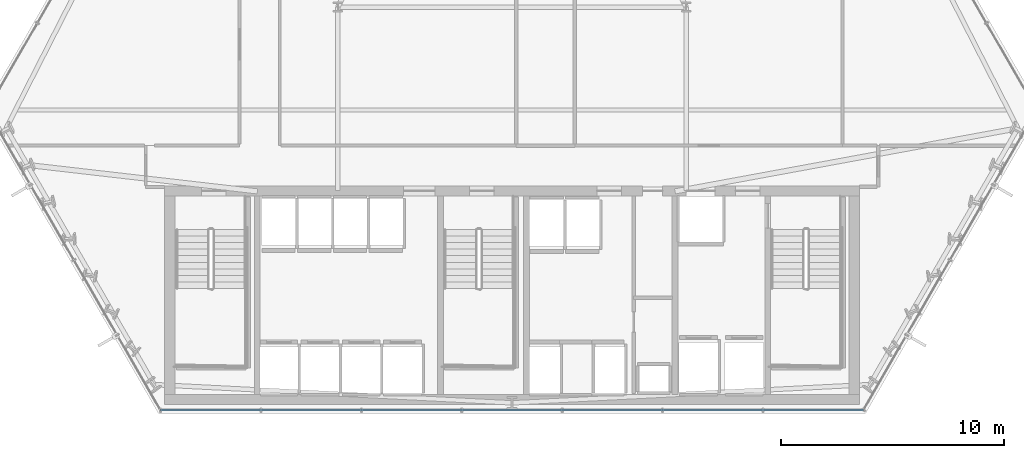
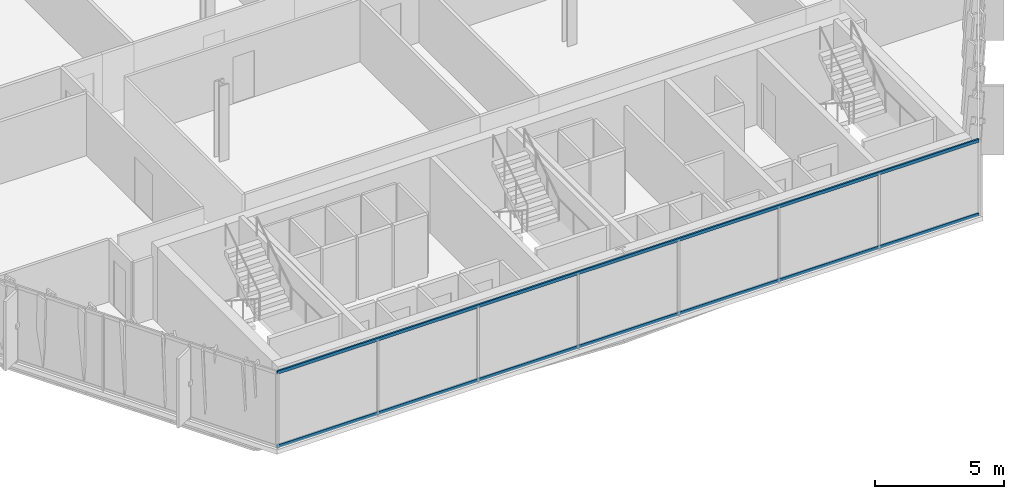
# One storey, part 8 of 32: 2 members, 1 element without a shape of its own.
"""IFC4 building model written with IfcOpenShell, lengths in metres."""

from ifc_helpers import new_model, si_unit, direction, frame, origin, origin_2d, place, context, subcontext, project, spatial, hollow_rectangle, extrude, material, layer, layer_set, material_profile, profile_set, type_object, element, aggregate, save


model = new_model("IFC4")

# Units and contexts
model_context = context("Model", 3, precision=1e-05, world=origin(), true_north=direction((0.0, 1.0)))
body_context = subcontext(model_context, "Body", "Model", "MODEL_VIEW")
ifc_project = project(units=[si_unit("LENGTHUNIT", "METRE"), si_unit("AREAUNIT", "SQUARE_METRE"), si_unit("VOLUMEUNIT", "CUBIC_METRE"), si_unit("PLANEANGLEUNIT", "RADIAN"), si_unit("MASSUNIT", "GRAM", prefix="KILO")], contexts=[model_context])

# Site, building, storey
site_placement = place(None, origin())
site = spatial("IfcSite", under=ifc_project, at=site_placement, CompositionType="ELEMENT")
building_placement = place(site_placement, origin())
building = spatial("IfcBuilding", under=site, at=building_placement, Name="Ndaravel Arena Tower", CompositionType="ELEMENT")
storey_placement = place(building_placement, frame((0.0, 0.0, 66.39990234375)))
storey = spatial("IfcBuildingStorey", under=building, at=storey_placement, Name="L14", CompositionType="ELEMENT", Elevation=66.39990234375)

# Curtain wall, members
ifc_material_1 = material(Name="Aluminium", Category="aluminium")
ifc_layer = layer(ifc_material_1, 0.179931640625)
ifc_layer_set = layer_set([ifc_layer], Name="Aluminium")
curtain_wall_type = type_object("IfcCurtainWallType", Name="CW-SYS-03", PredefinedType="NOTDEFINED", material=ifc_layer_set)
curtain_wall_placement = place(storey_placement, origin())
curtain_wall = element("IfcCurtainWall", 1, at=curtain_wall_placement, inside=storey, type_object=curtain_wall_type, Name="L14 Faceted Crystal Curtain Wall CW-L14-E01", PredefinedType="NOTDEFINED")
ifc_material_2 = material(Name="Aluminium", Category="aluminium")
ifc_material_profile = material_profile(ifc_material_2, hollow_rectangle(XDim=0.074951171875, YDim=0.14990234375, WallThickness=0.00390625, at=origin_2d()), Name="CW TRANSOM 75x150x4")
ifc_profile_set = profile_set([ifc_material_profile], Name="Aluminium")
member_type = type_object("IfcMemberType", Name="MEM-CW-TRN150", PredefinedType="USERDEFINED", material=ifc_profile_set)
member_1_placement = place(storey_placement, frame((26.264892578125, 5.159912109375, 0.0400390625), z_axis=(1.0, 0.0, 0.0), x_axis=(0.0, 1.0, 0.0)))
member_1 = element("IfcMember", 2, at=member_1_placement, type_object=member_type, Name="CW-L14-E01 Transom 01", ObjectType="TRANSOM", PredefinedType="USERDEFINED", context=body_context, shape_type="SweptSolid", body=[
    extrude(hollow_rectangle(XDim=0.074951171875, YDim=0.14990234375, WallThickness=0.00390625, at=origin_2d()), origin(), (0.0, 0.0, 1.0), 31.47021484375),
])
member_2_placement = place(storey_placement, frame((26.264892578125, 5.159912109375, 3.5400390625), z_axis=(1.0, 0.0, 0.0), x_axis=(0.0, 1.0, 0.0)))
member_2 = element("IfcMember", 3, at=member_2_placement, type_object=member_type, Name="CW-L14-E01 Transom 02", ObjectType="TRANSOM", PredefinedType="USERDEFINED", context=body_context, shape_type="SweptSolid", body=[
    extrude(hollow_rectangle(XDim=0.074951171875, YDim=0.14990234375, WallThickness=0.00390625, at=origin_2d()), origin(), (0.0, 0.0, 1.0), 31.47021484375),
])
aggregate(curtain_wall, [member_1, member_2])

save(model, "model.ifc")
